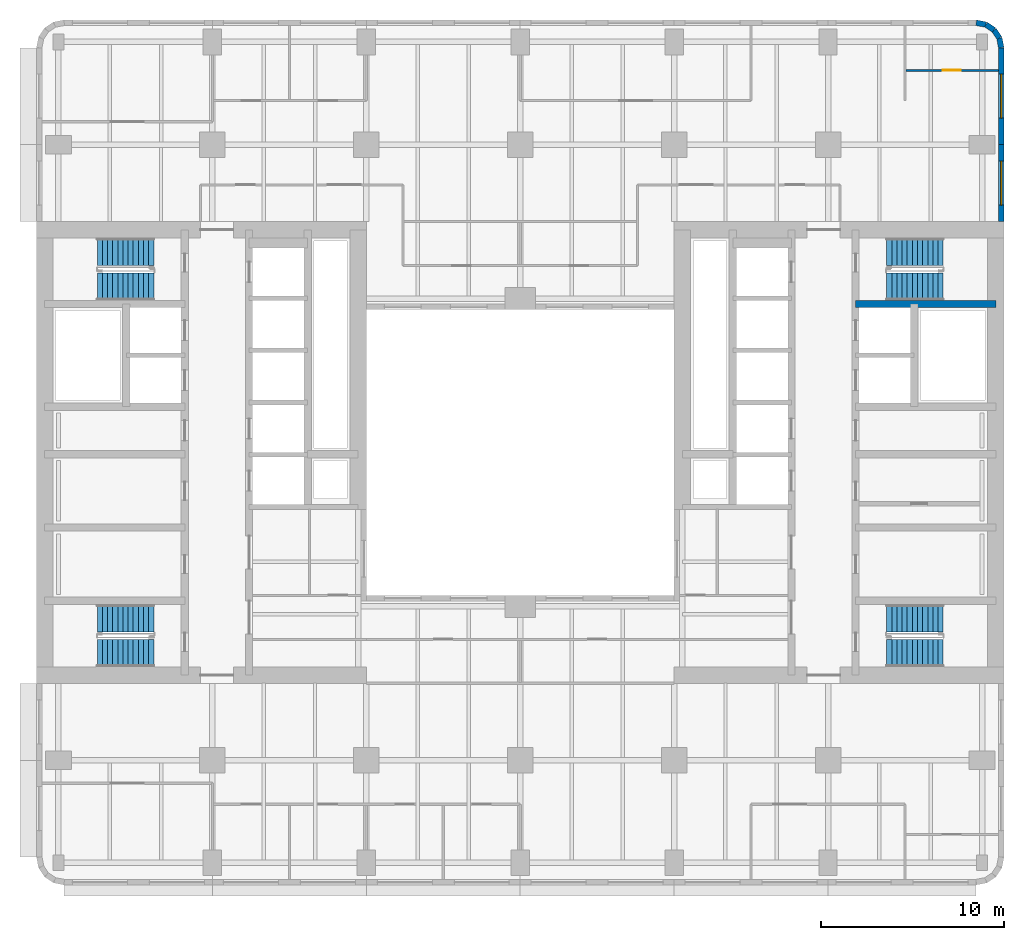
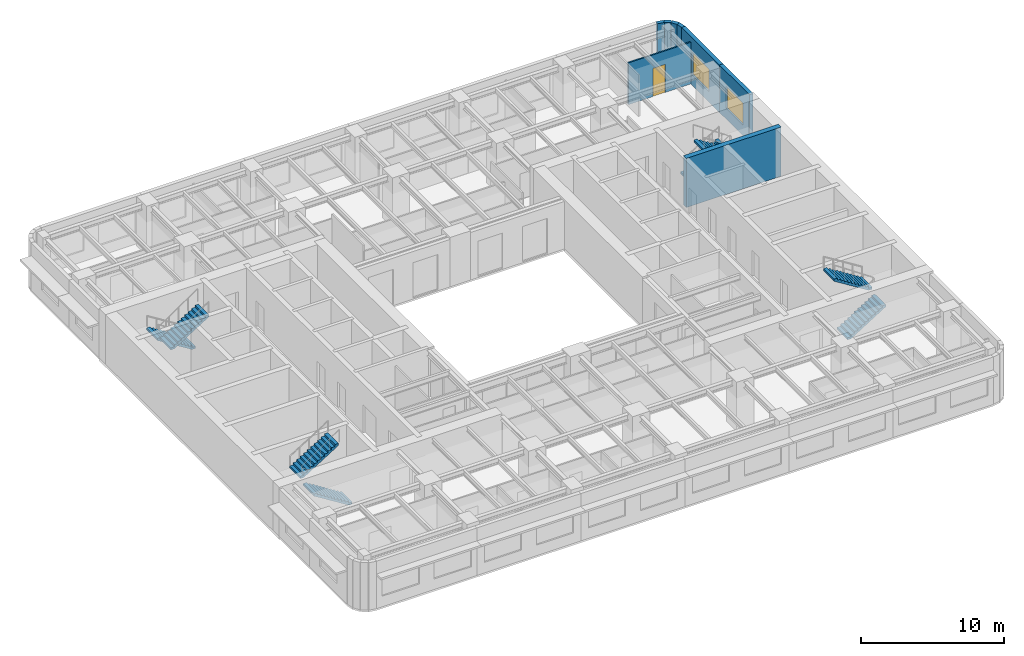
# One storey, part 8 of 11: 8 stair flights, 8 walls, 2 windows, 1 door, 3 openings, 4 elements without a shape of their own.
"""IFC4 building model written with IfcOpenShell, lengths in metres."""

from ifc_helpers import new_model, si_unit, direction, frame, frame_2d, origin, place, context, subcontext, project, spatial, polyline, rectangle, outline, extrude, material, layer, layer_set, type_object, element, fill, aggregate, save


model = new_model("IFC4")

# Units and contexts
model_context = context("Model", 3, precision=1e-05, world=origin(), true_north=direction((0.0, 1.0)))
body_context = subcontext(model_context, "Body", "Model", "MODEL_VIEW")
ifc_project = project(units=[si_unit("LENGTHUNIT", "METRE"), si_unit("AREAUNIT", "SQUARE_METRE"), si_unit("VOLUMEUNIT", "CUBIC_METRE"), si_unit("PLANEANGLEUNIT", "RADIAN"), si_unit("MASSUNIT", "GRAM", prefix="KILO")], contexts=[model_context])

# Site, building, storey
site_placement = place(None, origin())
site = spatial("IfcSite", under=ifc_project, at=site_placement, CompositionType="ELEMENT")
building_placement = place(site_placement, origin())
building = spatial("IfcBuilding", under=site, at=building_placement, Name="Claustro Exchange Tower", CompositionType="ELEMENT")
storey_placement = place(building_placement, frame((0.0, 0.0, 117.60009765625)))
storey = spatial("IfcBuildingStorey", under=building, at=storey_placement, Name="L26", CompositionType="ELEMENT", Elevation=117.60009765625)

# Wall, opening, door
ifc_material_1 = material(Name="Laminated glass in aluminium frame", Category="aluminium")
ifc_layer_1 = layer(ifc_material_1, 0.1201171875)
ifc_layer_set_1 = layer_set([ifc_layer_1], Name="Laminated glass in aluminium frame")
wall_type_1 = type_object("IfcWallType", Name="P2 120 glazed partition", PredefinedType="PARTITIONING", material=ifc_layer_set_1)
wall_1_placement = place(storey_placement, frame((46.258056640625, 46.050048828125, 0.0), z_axis=(0.0, 0.0, 1.0), x_axis=(1.0, 0.0, 0.0)))
wall_1 = element("IfcWall", 1, at=wall_1_placement, inside=storey, type_object=wall_type_1, Name="Partition P2 L26", PredefinedType="PARTITIONING", context=body_context, shape_type="SweptSolid", body=[
    extrude(rectangle(XDim=5.0439453125, YDim=0.1201171875, at=frame_2d((2.52197265625, 0.0))), origin(), (0.0, 0.0, 1.0), 3.559814453125),
])
opening_1_placement = place(wall_1_placement, frame((1.991943359375, 0.0, 0.0)))
opening_1 = element("IfcOpeningElement", 2, at=opening_1_placement, cuts=wall_1, Name="Opening D7", PredefinedType="OPENING", context=body_context, shape_type="SweptSolid", body=[
    extrude(rectangle(XDim=1.0, YDim=2.39990234375, at=frame_2d((0.5, 1.199951171875))), frame((0.0, 0.070068359375, 0.0), z_axis=(0.0, -1.0, 0.0), x_axis=(1.0, 0.0, 0.0)), (0.0, 0.0, 1.0), 0.14013671875),
])
ifc_material_2 = material(Name="Glass door in aluminium frame", Category="aluminium")
door_type = type_object("IfcDoorType", Name="D7 1000 x 2400 glazed door", OperationType="SINGLE_SWING_LEFT", PredefinedType="DOOR", material=ifc_material_2)
door_placement = place(opening_1_placement, origin())
door = element("IfcDoor", 3, at=door_placement, inside=storey, type_object=door_type, Name="Door D7 L26", OperationType="SINGLE_SWING_LEFT", OverallHeight=2.39990234375, OverallWidth=1.0, PredefinedType="DOOR", context=body_context, shape_type="SweptSolid", body=[
    extrude(rectangle(XDim=1.0, YDim=2.39990234375, at=frame_2d((0.5, 1.199951171875))), frame((0.0, 0.02490234375, 0.0), z_axis=(0.0, -1.0, 0.0), x_axis=(1.0, 0.0, 0.0)), (0.0, 0.0, 1.0), 0.050048828125),
])
fill(opening_1, door)

# Walls
ifc_material_3 = material(Name="Concrete HA-40 (C40/50), precast, white cement, acid-etched", Category="concrete")
ifc_layer_2 = layer(ifc_material_3, 0.300048828125)
ifc_layer_set_2 = layer_set([ifc_layer_2], Name="Concrete HA-40 (C40/50), precast, white cement, acid-etched")
wall_type_2 = type_object("IfcWallType", Name="PC1 300 precast concrete pier panel", PredefinedType="SOLIDWALL", material=ifc_layer_set_2)
wall_2_placement = place(storey_placement, frame((50.085205078125, 48.64990234375, 0.0), z_axis=(0.0, 0.0, 1.0), x_axis=(0.980788534345, -0.195073962632, 0.0)))
element("IfcWall", 4, at=wall_2_placement, inside=storey, type_object=wall_type_2, Name="Precast pier panel PC1 L26", PredefinedType="SOLIDWALL", context=body_context, shape_type="SweptSolid", body=[
    extrude(rectangle(XDim=0.540771484375, YDim=0.300048828125, at=frame_2d((0.2705078125, 0.0))), origin(), (0.0, 0.0, 1.0), 4.0498046875),
])
wall_3_placement = place(storey_placement, frame((50.615478515625, 48.54443359375, 0.0), z_axis=(0.0, 0.0, 1.0), x_axis=(0.831692711774, -0.555236195849, 0.0)))
element("IfcWall", 5, at=wall_3_placement, inside=storey, type_object=wall_type_2, Name="Precast pier panel PC1 L26", PredefinedType="SOLIDWALL", context=body_context, shape_type="SweptSolid", body=[
    extrude(rectangle(XDim=0.525390625, YDim=0.300048828125, at=frame_2d((0.2626953125, 0.0))), origin(), (0.0, 0.0, 1.0), 4.0498046875),
])
wall_4_placement = place(storey_placement, frame((51.052490234375, 48.252685546875, 0.0), z_axis=(0.0, 0.0, 1.0), x_axis=(0.55534295404, -0.831621430339, 0.0)))
element("IfcWall", 6, at=wall_4_placement, inside=storey, type_object=wall_type_2, Name="Precast pier panel PC1 L26", PredefinedType="SOLIDWALL", context=body_context, shape_type="SweptSolid", body=[
    extrude(rectangle(XDim=0.52587890625, YDim=0.300048828125, at=frame_2d((0.262939453125, 0.0))), origin(), (0.0, 0.0, 1.0), 4.0498046875),
])
wall_5_placement = place(storey_placement, frame((51.344482421875, 47.8154296875, 0.0), z_axis=(0.0, 0.0, 1.0), x_axis=(0.195073962632, -0.980788534345, 0.0)))
element("IfcWall", 7, at=wall_5_placement, inside=storey, type_object=wall_type_2, Name="Precast pier panel PC1 L26", PredefinedType="SOLIDWALL", context=body_context, shape_type="SweptSolid", body=[
    extrude(rectangle(XDim=0.540771484375, YDim=0.300048828125, at=frame_2d((0.2705078125, 0.0))), origin(), (0.0, 0.0, 1.0), 4.0498046875),
])

# Wall, opening, window
wall_6_placement = place(storey_placement, frame((51.449951171875, 47.28515625, 0.0), z_axis=(0.0, 0.0, 1.0), x_axis=(0.0, -1.0, 0.0)))
wall_6 = element("IfcWall", 8, at=wall_6_placement, inside=storey, type_object=wall_type_2, Name="Precast pier panel PC1 L26", PredefinedType="SOLIDWALL", context=body_context, shape_type="SweptSolid", body=[
    extrude(rectangle(XDim=5.28515625, YDim=0.300048828125, at=frame_2d((2.642578125, 0.0))), origin(), (0.0, 0.0, 1.0), 4.0498046875),
])
opening_2_placement = place(wall_6_placement, frame((1.442626953125, 0.0, 0.89990234375)))
opening_2 = element("IfcOpeningElement", 9, at=opening_2_placement, cuts=wall_6, Name="Opening W2", PredefinedType="OPENING", context=body_context, shape_type="SweptSolid", body=[
    extrude(rectangle(XDim=2.39990234375, YDim=1.89990234375, at=frame_2d((1.199951171875, 0.949951171875))), frame((0.0, 0.159912109375, 0.0), z_axis=(0.0, -1.0, 0.0), x_axis=(1.0, 0.0, 0.0)), (0.0, 0.0, 1.0), 0.320068359375),
])
ifc_material_4 = material(Name="Aluminium frame, clear double glazing", Category="aluminium")
window_type = type_object("IfcWindowType", Name="W2 2400 x 1900 window", PartitioningType="SINGLE_PANEL", PredefinedType="WINDOW", material=ifc_material_4)
window_1_placement = place(opening_2_placement, origin())
window_1 = element("IfcWindow", 10, at=window_1_placement, inside=storey, type_object=window_type, Name="Window W2 L26", OverallHeight=1.89990234375, OverallWidth=2.39990234375, PartitioningType="SINGLE_PANEL", PredefinedType="WINDOW", context=body_context, shape_type="SweptSolid", body=[
    extrude(rectangle(XDim=2.39990234375, YDim=1.89990234375, at=frame_2d((1.199951171875, 0.949951171875))), frame((0.0, 0.030029296875, 0.0), z_axis=(0.0, -1.0, 0.0), x_axis=(1.0, 0.0, 0.0)), (0.0, 0.0, 1.0), 0.06005859375),
])
fill(opening_2, window_1)

wall_7_placement = place(storey_placement, frame((51.449951171875, 42.0, 0.0), z_axis=(0.0, 0.0, 1.0), x_axis=(0.0, -1.0, 0.0)))
wall_7 = element("IfcWall", 11, at=wall_7_placement, inside=storey, type_object=wall_type_2, Name="Precast pier panel PC1 L26", PredefinedType="SOLIDWALL", context=body_context, shape_type="SweptSolid", body=[
    extrude(rectangle(XDim=4.199951171875, YDim=0.300048828125, at=frame_2d((2.10009765625, 0.0))), origin(), (0.0, 0.0, 1.0), 4.0498046875),
])
opening_3_placement = place(wall_7_placement, frame((0.89990234375, 0.0, 0.89990234375)))
opening_3 = element("IfcOpeningElement", 12, at=opening_3_placement, cuts=wall_7, Name="Opening W2", PredefinedType="OPENING", context=body_context, shape_type="SweptSolid", body=[
    extrude(rectangle(XDim=2.39990234375, YDim=1.89990234375, at=frame_2d((1.199951171875, 0.949951171875))), frame((0.0, 0.159912109375, 0.0), z_axis=(0.0, -1.0, 0.0), x_axis=(1.0, 0.0, 0.0)), (0.0, 0.0, 1.0), 0.320068359375),
])
window_2_placement = place(opening_3_placement, origin())
window_2 = element("IfcWindow", 13, at=window_2_placement, inside=storey, type_object=window_type, Name="Window W2 L26", OverallHeight=1.89990234375, OverallWidth=2.39990234375, PartitioningType="SINGLE_PANEL", PredefinedType="WINDOW", context=body_context, shape_type="SweptSolid", body=[
    extrude(rectangle(XDim=2.39990234375, YDim=1.89990234375, at=frame_2d((1.199951171875, 0.949951171875))), frame((0.0, 0.030029296875, 0.0), z_axis=(0.0, -1.0, 0.0), x_axis=(1.0, 0.0, 0.0)), (0.0, 0.0, 1.0), 0.06005859375),
])
fill(opening_3, window_2)

# Wall
ifc_material_5 = material(Name="Concrete HA-50 (C50/60)", Category="concrete")
ifc_layer_3 = layer(ifc_material_5, 0.39990234375)
ifc_layer_set_3 = layer_set([ifc_layer_3], Name="Concrete HA-50 (C50/60)")
wall_type_3 = type_object("IfcWallType", Name="SW4 400 internal core wall", PredefinedType="SHEAR", material=ifc_layer_set_3)
wall_8_placement = place(storey_placement, frame((51.14990234375, 33.300048828125, 0.0), z_axis=(0.0, 0.0, 1.0), x_axis=(-1.0, 0.0, 0.0)))
element("IfcWall", 14, at=wall_8_placement, inside=storey, type_object=wall_type_3, Name="Internal core wall SW4 E core L26", PredefinedType="SHEAR", context=body_context, shape_type="SweptSolid", body=[
    extrude(rectangle(XDim=7.64990234375, YDim=0.39990234375, at=frame_2d((3.824951171875, 0.0))), origin(), (0.0, 0.0, 1.0), 4.199951171875),
])

# Stair, stair flights
ifc_material_6 = material(Name="Concrete HA-30 (C30/37), precast", Category="concrete")
stair_type = type_object("IfcStairType", Name="ST1 half-turn stair, 24 risers of 175", PredefinedType="HALF_TURN_STAIR", material=ifc_material_6)
stair_1_placement = place(storey_placement, origin())
stair_1 = element("IfcStair", 15, at=stair_1_placement, inside=storey, type_object=stair_type, Name="Stair STWA L26", PredefinedType="HALF_TURN_STAIR")
ifc_material_7 = material(Name="Concrete HA-30 (C30/37), precast", Category="concrete")
stair_flight_type = type_object("IfcStairFlightType", Name="SF12A straight flight, 12 risers of 175, 1500 wide", PredefinedType="STRAIGHT", material=ifc_material_7)
stair_flight_1_placement = place(storey_placement, frame((5.199951171875, 14.25, 0.0), z_axis=(0.0, 0.0, 1.0), x_axis=(-1.0, 0.0, 0.0)))
stair_flight_1 = element("IfcStairFlight", 16, at=stair_flight_1_placement, type_object=stair_flight_type, Name="STWA flight 1", NumberOfRisers=12, NumberOfTreads=11, PredefinedType="STRAIGHT", RiserHeight=0.175, TreadLength=0.28, context=body_context, shape_type="SweptSolid", body=[
    extrude(outline(polyline([(0.0, 0.0), (0.0, 0.175048828125), (0.280029296875, 0.175048828125), (0.280029296875, 0.35009765625), (0.56005859375, 0.35009765625), (0.56005859375, 0.52490234375), (0.840087890625, 0.52490234375), (0.840087890625, 0.699951171875), (1.1201171875, 0.699951171875), (1.1201171875, 0.875), (1.39990234375, 0.875), (1.39990234375, 1.050048828125), (1.679931640625, 1.050048828125), (1.679931640625, 1.22509765625), (1.9599609375, 1.22509765625), (1.9599609375, 1.39990234375), (2.239990234375, 1.39990234375), (2.239990234375, 1.574951171875), (2.52001953125, 1.574951171875), (2.52001953125, 1.75), (2.800048828125, 1.75), (2.800048828125, 1.925048828125), (3.080078125, 1.925048828125), (3.080078125, 2.10009765625), (3.080078125, 1.748291015625), (0.28271484375, 0.0), (0.0, 0.0)])), frame((0.0, 0.75, 0.0), z_axis=(0.0, -1.0, 0.0), x_axis=(1.0, 0.0, 0.0)), (0.0, 0.0, 1.0), 1.5),
])
stair_flight_2_placement = place(storey_placement, frame((2.1201171875, 16.14990234375, 2.099853515625), z_axis=(0.0, 0.0, 1.0), x_axis=(1.0, 0.0, 0.0)))
stair_flight_2 = element("IfcStairFlight", 17, at=stair_flight_2_placement, type_object=stair_flight_type, Name="STWA flight 2", NumberOfRisers=12, NumberOfTreads=11, PredefinedType="STRAIGHT", RiserHeight=0.175, TreadLength=0.28, context=body_context, shape_type="SweptSolid", body=[
    extrude(outline(polyline([(0.0, 0.0), (0.0, 0.175048828125), (0.280029296875, 0.175048828125), (0.280029296875, 0.35009765625), (0.56005859375, 0.35009765625), (0.56005859375, 0.52490234375), (0.840087890625, 0.52490234375), (0.840087890625, 0.699951171875), (1.1201171875, 0.699951171875), (1.1201171875, 0.875), (1.39990234375, 0.875), (1.39990234375, 1.050048828125), (1.679931640625, 1.050048828125), (1.679931640625, 1.22509765625), (1.9599609375, 1.22509765625), (1.9599609375, 1.39990234375), (2.239990234375, 1.39990234375), (2.239990234375, 1.574951171875), (2.52001953125, 1.574951171875), (2.52001953125, 1.75), (2.800048828125, 1.75), (2.800048828125, 1.925048828125), (3.080078125, 1.925048828125), (3.080078125, 2.10009765625), (3.080078125, 1.748291015625), (0.28271484375, 0.0), (0.0, 0.0)])), frame((0.0, 0.75, 0.0), z_axis=(0.0, -1.0, 0.0), x_axis=(1.0, 0.0, 0.0)), (0.0, 0.0, 1.0), 1.5),
])
aggregate(stair_1, [stair_flight_1, stair_flight_2])

stair_2_placement = place(storey_placement, origin())
stair_2 = element("IfcStair", 18, at=stair_2_placement, inside=storey, type_object=stair_type, Name="Stair STWB L26", PredefinedType="HALF_TURN_STAIR")
stair_flight_3_placement = place(storey_placement, frame((5.199951171875, 36.14990234375, 0.0), z_axis=(0.0, 0.0, 1.0), x_axis=(-1.0, 0.0, 0.0)))
stair_flight_3 = element("IfcStairFlight", 19, at=stair_flight_3_placement, type_object=stair_flight_type, Name="STWB flight 1", NumberOfRisers=12, NumberOfTreads=11, PredefinedType="STRAIGHT", RiserHeight=0.175, TreadLength=0.28, context=body_context, shape_type="SweptSolid", body=[
    extrude(outline(polyline([(0.0, 0.0), (0.0, 0.175048828125), (0.280029296875, 0.175048828125), (0.280029296875, 0.35009765625), (0.56005859375, 0.35009765625), (0.56005859375, 0.52490234375), (0.840087890625, 0.52490234375), (0.840087890625, 0.699951171875), (1.1201171875, 0.699951171875), (1.1201171875, 0.875), (1.39990234375, 0.875), (1.39990234375, 1.050048828125), (1.679931640625, 1.050048828125), (1.679931640625, 1.22509765625), (1.9599609375, 1.22509765625), (1.9599609375, 1.39990234375), (2.239990234375, 1.39990234375), (2.239990234375, 1.574951171875), (2.52001953125, 1.574951171875), (2.52001953125, 1.75), (2.800048828125, 1.75), (2.800048828125, 1.925048828125), (3.080078125, 1.925048828125), (3.080078125, 2.10009765625), (3.080078125, 1.748291015625), (0.28271484375, 0.0), (0.0, 0.0)])), frame((0.0, 0.75, 0.0), z_axis=(0.0, -1.0, 0.0), x_axis=(1.0, 0.0, 0.0)), (0.0, 0.0, 1.0), 1.5),
])
stair_flight_4_placement = place(storey_placement, frame((2.1201171875, 34.25, 2.099853515625), z_axis=(0.0, 0.0, 1.0), x_axis=(1.0, 0.0, 0.0)))
stair_flight_4 = element("IfcStairFlight", 20, at=stair_flight_4_placement, type_object=stair_flight_type, Name="STWB flight 2", NumberOfRisers=12, NumberOfTreads=11, PredefinedType="STRAIGHT", RiserHeight=0.175, TreadLength=0.28, context=body_context, shape_type="SweptSolid", body=[
    extrude(outline(polyline([(0.0, 0.0), (0.0, 0.175048828125), (0.280029296875, 0.175048828125), (0.280029296875, 0.35009765625), (0.56005859375, 0.35009765625), (0.56005859375, 0.52490234375), (0.840087890625, 0.52490234375), (0.840087890625, 0.699951171875), (1.1201171875, 0.699951171875), (1.1201171875, 0.875), (1.39990234375, 0.875), (1.39990234375, 1.050048828125), (1.679931640625, 1.050048828125), (1.679931640625, 1.22509765625), (1.9599609375, 1.22509765625), (1.9599609375, 1.39990234375), (2.239990234375, 1.39990234375), (2.239990234375, 1.574951171875), (2.52001953125, 1.574951171875), (2.52001953125, 1.75), (2.800048828125, 1.75), (2.800048828125, 1.925048828125), (3.080078125, 1.925048828125), (3.080078125, 2.10009765625), (3.080078125, 1.748291015625), (0.28271484375, 0.0), (0.0, 0.0)])), frame((0.0, 0.75, 0.0), z_axis=(0.0, -1.0, 0.0), x_axis=(1.0, 0.0, 0.0)), (0.0, 0.0, 1.0), 1.5),
])
aggregate(stair_2, [stair_flight_3, stair_flight_4])

stair_3_placement = place(storey_placement, origin())
stair_3 = element("IfcStair", 21, at=stair_3_placement, inside=storey, type_object=stair_type, Name="Stair STEA L26", PredefinedType="HALF_TURN_STAIR")
stair_flight_5_placement = place(storey_placement, frame((45.199951171875, 14.25, 0.0), z_axis=(0.0, 0.0, 1.0), x_axis=(1.0, 0.0, 0.0)))
stair_flight_5 = element("IfcStairFlight", 22, at=stair_flight_5_placement, type_object=stair_flight_type, Name="STEA flight 1", NumberOfRisers=12, NumberOfTreads=11, PredefinedType="STRAIGHT", RiserHeight=0.175, TreadLength=0.28, context=body_context, shape_type="SweptSolid", body=[
    extrude(outline(polyline([(0.0, 0.0), (0.0, 0.175048828125), (0.280029296875, 0.175048828125), (0.280029296875, 0.35009765625), (0.56005859375, 0.35009765625), (0.56005859375, 0.52490234375), (0.840087890625, 0.52490234375), (0.840087890625, 0.699951171875), (1.1201171875, 0.699951171875), (1.1201171875, 0.875), (1.39990234375, 0.875), (1.39990234375, 1.050048828125), (1.679931640625, 1.050048828125), (1.679931640625, 1.22509765625), (1.9599609375, 1.22509765625), (1.9599609375, 1.39990234375), (2.239990234375, 1.39990234375), (2.239990234375, 1.574951171875), (2.52001953125, 1.574951171875), (2.52001953125, 1.75), (2.800048828125, 1.75), (2.800048828125, 1.925048828125), (3.080078125, 1.925048828125), (3.080078125, 2.10009765625), (3.080078125, 1.748291015625), (0.28271484375, 0.0), (0.0, 0.0)])), frame((0.0, 0.75, 0.0), z_axis=(0.0, -1.0, 0.0), x_axis=(1.0, 0.0, 0.0)), (0.0, 0.0, 1.0), 1.5),
])
stair_flight_6_placement = place(storey_placement, frame((48.280029296875, 16.14990234375, 2.099853515625), z_axis=(0.0, 0.0, 1.0), x_axis=(-1.0, 0.0, 0.0)))
stair_flight_6 = element("IfcStairFlight", 23, at=stair_flight_6_placement, type_object=stair_flight_type, Name="STEA flight 2", NumberOfRisers=12, NumberOfTreads=11, PredefinedType="STRAIGHT", RiserHeight=0.175, TreadLength=0.28, context=body_context, shape_type="SweptSolid", body=[
    extrude(outline(polyline([(0.0, 0.0), (0.0, 0.175048828125), (0.280029296875, 0.175048828125), (0.280029296875, 0.35009765625), (0.56005859375, 0.35009765625), (0.56005859375, 0.52490234375), (0.840087890625, 0.52490234375), (0.840087890625, 0.699951171875), (1.1201171875, 0.699951171875), (1.1201171875, 0.875), (1.39990234375, 0.875), (1.39990234375, 1.050048828125), (1.679931640625, 1.050048828125), (1.679931640625, 1.22509765625), (1.9599609375, 1.22509765625), (1.9599609375, 1.39990234375), (2.239990234375, 1.39990234375), (2.239990234375, 1.574951171875), (2.52001953125, 1.574951171875), (2.52001953125, 1.75), (2.800048828125, 1.75), (2.800048828125, 1.925048828125), (3.080078125, 1.925048828125), (3.080078125, 2.10009765625), (3.080078125, 1.748291015625), (0.28271484375, 0.0), (0.0, 0.0)])), frame((0.0, 0.75, 0.0), z_axis=(0.0, -1.0, 0.0), x_axis=(1.0, 0.0, 0.0)), (0.0, 0.0, 1.0), 1.5),
])
aggregate(stair_3, [stair_flight_5, stair_flight_6])

stair_4_placement = place(storey_placement, origin())
stair_4 = element("IfcStair", 24, at=stair_4_placement, inside=storey, type_object=stair_type, Name="Stair STEB L26", PredefinedType="HALF_TURN_STAIR")
stair_flight_7_placement = place(storey_placement, frame((45.199951171875, 36.14990234375, 0.0), z_axis=(0.0, 0.0, 1.0), x_axis=(1.0, 0.0, 0.0)))
stair_flight_7 = element("IfcStairFlight", 25, at=stair_flight_7_placement, type_object=stair_flight_type, Name="STEB flight 1", NumberOfRisers=12, NumberOfTreads=11, PredefinedType="STRAIGHT", RiserHeight=0.175, TreadLength=0.28, context=body_context, shape_type="SweptSolid", body=[
    extrude(outline(polyline([(0.0, 0.0), (0.0, 0.175048828125), (0.280029296875, 0.175048828125), (0.280029296875, 0.35009765625), (0.56005859375, 0.35009765625), (0.56005859375, 0.52490234375), (0.840087890625, 0.52490234375), (0.840087890625, 0.699951171875), (1.1201171875, 0.699951171875), (1.1201171875, 0.875), (1.39990234375, 0.875), (1.39990234375, 1.050048828125), (1.679931640625, 1.050048828125), (1.679931640625, 1.22509765625), (1.9599609375, 1.22509765625), (1.9599609375, 1.39990234375), (2.239990234375, 1.39990234375), (2.239990234375, 1.574951171875), (2.52001953125, 1.574951171875), (2.52001953125, 1.75), (2.800048828125, 1.75), (2.800048828125, 1.925048828125), (3.080078125, 1.925048828125), (3.080078125, 2.10009765625), (3.080078125, 1.748291015625), (0.28271484375, 0.0), (0.0, 0.0)])), frame((0.0, 0.75, 0.0), z_axis=(0.0, -1.0, 0.0), x_axis=(1.0, 0.0, 0.0)), (0.0, 0.0, 1.0), 1.5),
])
stair_flight_8_placement = place(storey_placement, frame((48.280029296875, 34.25, 2.099853515625), z_axis=(0.0, 0.0, 1.0), x_axis=(-1.0, 0.0, 0.0)))
stair_flight_8 = element("IfcStairFlight", 26, at=stair_flight_8_placement, type_object=stair_flight_type, Name="STEB flight 2", NumberOfRisers=12, NumberOfTreads=11, PredefinedType="STRAIGHT", RiserHeight=0.175, TreadLength=0.28, context=body_context, shape_type="SweptSolid", body=[
    extrude(outline(polyline([(0.0, 0.0), (0.0, 0.175048828125), (0.280029296875, 0.175048828125), (0.280029296875, 0.35009765625), (0.56005859375, 0.35009765625), (0.56005859375, 0.52490234375), (0.840087890625, 0.52490234375), (0.840087890625, 0.699951171875), (1.1201171875, 0.699951171875), (1.1201171875, 0.875), (1.39990234375, 0.875), (1.39990234375, 1.050048828125), (1.679931640625, 1.050048828125), (1.679931640625, 1.22509765625), (1.9599609375, 1.22509765625), (1.9599609375, 1.39990234375), (2.239990234375, 1.39990234375), (2.239990234375, 1.574951171875), (2.52001953125, 1.574951171875), (2.52001953125, 1.75), (2.800048828125, 1.75), (2.800048828125, 1.925048828125), (3.080078125, 1.925048828125), (3.080078125, 2.10009765625), (3.080078125, 1.748291015625), (0.28271484375, 0.0), (0.0, 0.0)])), frame((0.0, 0.75, 0.0), z_axis=(0.0, -1.0, 0.0), x_axis=(1.0, 0.0, 0.0)), (0.0, 0.0, 1.0), 1.5),
])
aggregate(stair_4, [stair_flight_7, stair_flight_8])

save(model, "model.ifc")
